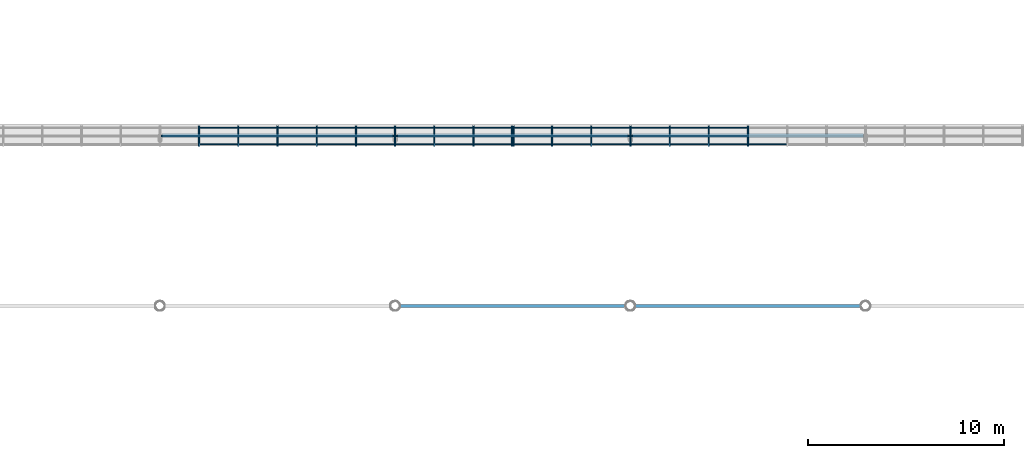
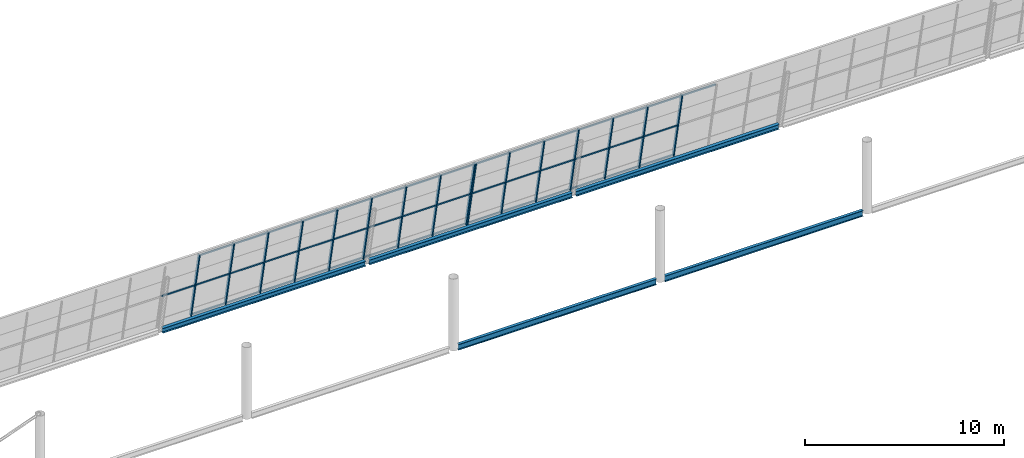
# One storey, part 13 of 50: 60 members, 5 beams, 2 elements without a shape of their own.
"""IFC4 building model written with IfcOpenShell, lengths in metres."""

from ifc_helpers import new_model, si_unit, direction, frame, origin, origin_2d, place, context, subcontext, project, spatial, rectangle, i_section, extrude, material, layer, layer_set, material_profile, profile_set, type_object, element, aggregate, save


model = new_model("IFC4")

# Units and contexts
model_context = context("Model", 3, precision=1e-05, world=origin(), true_north=direction((0.0, 1.0)))
body_context = subcontext(model_context, "Body", "Model", "MODEL_VIEW")
ifc_project = project(units=[si_unit("LENGTHUNIT", "METRE"), si_unit("AREAUNIT", "SQUARE_METRE"), si_unit("VOLUMEUNIT", "CUBIC_METRE"), si_unit("PLANEANGLEUNIT", "RADIAN"), si_unit("MASSUNIT", "GRAM", prefix="KILO")], contexts=[model_context])

# Site, building, storey
site_placement = place(None, origin())
site = spatial("IfcSite", under=ifc_project, at=site_placement, CompositionType="ELEMENT")
building_placement = place(site_placement, origin())
building = spatial("IfcBuilding", under=site, at=building_placement, Name="Windward Yard Aquatics Centre", CompositionType="ELEMENT")
storey_placement = place(building_placement, frame((0.0, 0.0, 18.199951171875)))
storey = spatial("IfcBuildingStorey", under=building, at=storey_placement, Name="L04", CompositionType="ELEMENT", Elevation=18.199951171875)

# Curtain wall, members
ifc_material_1 = material(Name="Glass and aluminium curtain wall", Category="aluminium")
ifc_layer = layer(ifc_material_1, 0.179931640625)
ifc_layer_set = layer_set([ifc_layer], Name="H curtain wall tier 2 double glazed 6+16+6")
curtain_wall_type = type_object("IfcCurtainWallType", Name="H curtain wall tier 2 double glazed 6+16+6", PredefinedType="NOTDEFINED", material=ifc_layer_set)
curtain_wall_1_placement = place(storey_placement, origin())
curtain_wall_1 = element("IfcCurtainWall", 1, at=curtain_wall_1_placement, inside=storey, type_object=curtain_wall_type, Name="Tier 2 glazing N L04", PredefinedType="NOTDEFINED")
ifc_material_2 = material(Name="Aluminium 6063-T6 anodised", Category="aluminium")
ifc_material_profile_1 = material_profile(ifc_material_2, rectangle(XDim=0.06494140625, YDim=0.179931640625, at=origin_2d()), Name="H CW mullion 65x180")
ifc_profile_set_1 = profile_set([ifc_material_profile_1], Name="Aluminium 6063-T6 anodised")
member_type_1 = type_object("IfcMemberType", Name="H CW mullion 65x180", PredefinedType="MULLION", material=ifc_profile_set_1)
member_1_placement = place(storey_placement, frame((85.9970703125, 89.494873046875, 0.0), z_axis=(0.0, -0.199376314935, 0.979922999548), x_axis=(1.0, 0.0, 0.0)))
member_1 = element("IfcMember", 2, at=member_1_placement, type_object=member_type_1, Name="G2NA mullion 12", PredefinedType="MULLION", context=body_context, shape_type="SweptSolid", body=[
    extrude(rectangle(XDim=0.06494140625, YDim=0.179931640625, at=origin_2d()), origin(), (0.0, 0.0, 1.0), 4.31884765625),
])
member_2_placement = place(storey_placement, frame((87.996826171875, 89.494873046875, 0.0), z_axis=(0.0, -0.199376314935, 0.979922999548), x_axis=(1.0, 0.0, 0.0)))
member_2 = element("IfcMember", 3, at=member_2_placement, type_object=member_type_1, Name="G2NA mullion 13", PredefinedType="MULLION", context=body_context, shape_type="SweptSolid", body=[
    extrude(rectangle(XDim=0.06494140625, YDim=0.179931640625, at=origin_2d()), origin(), (0.0, 0.0, 1.0), 4.31884765625),
])
member_3_placement = place(storey_placement, frame((89.99658203125, 89.494873046875, 0.0), z_axis=(0.0, -0.199376314935, 0.979922999548), x_axis=(1.0, 0.0, 0.0)))
member_3 = element("IfcMember", 4, at=member_3_placement, type_object=member_type_1, Name="G2NA mullion 14", PredefinedType="MULLION", context=body_context, shape_type="SweptSolid", body=[
    extrude(rectangle(XDim=0.06494140625, YDim=0.179931640625, at=origin_2d()), origin(), (0.0, 0.0, 1.0), 4.31884765625),
])
member_4_placement = place(storey_placement, frame((91.996337890625, 89.494873046875, 0.0), z_axis=(0.0, -0.199376314935, 0.979922999548), x_axis=(1.0, 0.0, 0.0)))
member_4 = element("IfcMember", 5, at=member_4_placement, type_object=member_type_1, Name="G2NA mullion 15", PredefinedType="MULLION", context=body_context, shape_type="SweptSolid", body=[
    extrude(rectangle(XDim=0.06494140625, YDim=0.179931640625, at=origin_2d()), origin(), (0.0, 0.0, 1.0), 4.31884765625),
])
member_5_placement = place(storey_placement, frame((93.99609375, 89.494873046875, 0.0), z_axis=(0.0, -0.199376314935, 0.979922999548), x_axis=(1.0, 0.0, 0.0)))
member_5 = element("IfcMember", 6, at=member_5_placement, type_object=member_type_1, Name="G2NA mullion 16", PredefinedType="MULLION", context=body_context, shape_type="SweptSolid", body=[
    extrude(rectangle(XDim=0.06494140625, YDim=0.179931640625, at=origin_2d()), origin(), (0.0, 0.0, 1.0), 4.31884765625),
])
member_6_placement = place(storey_placement, frame((95.995849609375, 89.494873046875, 0.0), z_axis=(0.0, -0.199376314935, 0.979922999548), x_axis=(1.0, 0.0, 0.0)))
member_6 = element("IfcMember", 7, at=member_6_placement, type_object=member_type_1, Name="G2NA mullion 17", PredefinedType="MULLION", context=body_context, shape_type="SweptSolid", body=[
    extrude(rectangle(XDim=0.06494140625, YDim=0.179931640625, at=origin_2d()), origin(), (0.0, 0.0, 1.0), 4.31884765625),
])
member_7_placement = place(storey_placement, frame((97.99560546875, 89.494873046875, 0.0), z_axis=(0.0, -0.199376314935, 0.979922999548), x_axis=(1.0, 0.0, 0.0)))
member_7 = element("IfcMember", 8, at=member_7_placement, type_object=member_type_1, Name="G2NA mullion 18", PredefinedType="MULLION", context=body_context, shape_type="SweptSolid", body=[
    extrude(rectangle(XDim=0.06494140625, YDim=0.179931640625, at=origin_2d()), origin(), (0.0, 0.0, 1.0), 4.31884765625),
])
member_8_placement = place(storey_placement, frame((99.995361328125, 89.494873046875, 0.0), z_axis=(0.0, -0.199376314935, 0.979922999548), x_axis=(1.0, 0.0, 0.0)))
member_8 = element("IfcMember", 9, at=member_8_placement, type_object=member_type_1, Name="G2NA mullion 19", PredefinedType="MULLION", context=body_context, shape_type="SweptSolid", body=[
    extrude(rectangle(XDim=0.06494140625, YDim=0.179931640625, at=origin_2d()), origin(), (0.0, 0.0, 1.0), 4.31884765625),
])
member_9_placement = place(storey_placement, frame((101.96240234375, 89.494873046875, 0.0), z_axis=(0.0, -0.199376314935, 0.979922999548), x_axis=(1.0, 0.0, 0.0)))
member_9 = element("IfcMember", 10, at=member_9_placement, type_object=member_type_1, Name="G2NA mullion 20", PredefinedType="MULLION", context=body_context, shape_type="SweptSolid", body=[
    extrude(rectangle(XDim=0.06494140625, YDim=0.179931640625, at=origin_2d()), origin(), (0.0, 0.0, 1.0), 4.31884765625),
])

curtain_wall_2_placement = place(storey_placement, origin())
curtain_wall_2 = element("IfcCurtainWall", 11, at=curtain_wall_2_placement, inside=storey, type_object=curtain_wall_type, Name="Tier 2 glazing N L04", PredefinedType="NOTDEFINED")
member_10_placement = place(storey_placement, frame((102.03759765625, 89.494873046875, 0.0), z_axis=(0.0, -0.199376314935, 0.979922999548), x_axis=(1.0, 0.0, 0.0)))
member_10 = element("IfcMember", 12, at=member_10_placement, type_object=member_type_1, Name="G2NB mullion 1", PredefinedType="MULLION", context=body_context, shape_type="SweptSolid", body=[
    extrude(rectangle(XDim=0.06494140625, YDim=0.179931640625, at=origin_2d()), origin(), (0.0, 0.0, 1.0), 4.31884765625),
])
member_11_placement = place(storey_placement, frame((104.004638671875, 89.494873046875, 0.0), z_axis=(0.0, -0.199376314935, 0.979922999548), x_axis=(1.0, 0.0, 0.0)))
member_11 = element("IfcMember", 13, at=member_11_placement, type_object=member_type_1, Name="G2NB mullion 2", PredefinedType="MULLION", context=body_context, shape_type="SweptSolid", body=[
    extrude(rectangle(XDim=0.06494140625, YDim=0.179931640625, at=origin_2d()), origin(), (0.0, 0.0, 1.0), 4.31884765625),
])
member_12_placement = place(storey_placement, frame((106.00439453125, 89.494873046875, 0.0), z_axis=(0.0, -0.199376314935, 0.979922999548), x_axis=(1.0, 0.0, 0.0)))
member_12 = element("IfcMember", 14, at=member_12_placement, type_object=member_type_1, Name="G2NB mullion 3", PredefinedType="MULLION", context=body_context, shape_type="SweptSolid", body=[
    extrude(rectangle(XDim=0.06494140625, YDim=0.179931640625, at=origin_2d()), origin(), (0.0, 0.0, 1.0), 4.31884765625),
])
member_13_placement = place(storey_placement, frame((108.004150390625, 89.494873046875, 0.0), z_axis=(0.0, -0.199376314935, 0.979922999548), x_axis=(1.0, 0.0, 0.0)))
member_13 = element("IfcMember", 15, at=member_13_placement, type_object=member_type_1, Name="G2NB mullion 4", PredefinedType="MULLION", context=body_context, shape_type="SweptSolid", body=[
    extrude(rectangle(XDim=0.06494140625, YDim=0.179931640625, at=origin_2d()), origin(), (0.0, 0.0, 1.0), 4.31884765625),
])
member_14_placement = place(storey_placement, frame((110.00390625, 89.494873046875, 0.0), z_axis=(0.0, -0.199376314935, 0.979922999548), x_axis=(1.0, 0.0, 0.0)))
member_14 = element("IfcMember", 16, at=member_14_placement, type_object=member_type_1, Name="G2NB mullion 5", PredefinedType="MULLION", context=body_context, shape_type="SweptSolid", body=[
    extrude(rectangle(XDim=0.06494140625, YDim=0.179931640625, at=origin_2d()), origin(), (0.0, 0.0, 1.0), 4.31884765625),
])
member_15_placement = place(storey_placement, frame((112.003662109375, 89.494873046875, 0.0), z_axis=(0.0, -0.199376314935, 0.979922999548), x_axis=(1.0, 0.0, 0.0)))
member_15 = element("IfcMember", 17, at=member_15_placement, type_object=member_type_1, Name="G2NB mullion 6", PredefinedType="MULLION", context=body_context, shape_type="SweptSolid", body=[
    extrude(rectangle(XDim=0.06494140625, YDim=0.179931640625, at=origin_2d()), origin(), (0.0, 0.0, 1.0), 4.31884765625),
])
member_16_placement = place(storey_placement, frame((114.00341796875, 89.494873046875, 0.0), z_axis=(0.0, -0.199376314935, 0.979922999548), x_axis=(1.0, 0.0, 0.0)))
member_16 = element("IfcMember", 18, at=member_16_placement, type_object=member_type_1, Name="G2NB mullion 7", PredefinedType="MULLION", context=body_context, shape_type="SweptSolid", body=[
    extrude(rectangle(XDim=0.06494140625, YDim=0.179931640625, at=origin_2d()), origin(), (0.0, 0.0, 1.0), 4.31884765625),
])

# Member
ifc_material_profile_2 = material_profile(ifc_material_2, rectangle(XDim=0.06494140625, YDim=0.10009765625, at=origin_2d()), Name="H CW transom 65x100")
ifc_profile_set_2 = profile_set([ifc_material_profile_2], Name="Aluminium 6063-T6 anodised")
member_type_2 = type_object("IfcMemberType", Name="H CW transom 65x100", PredefinedType="USERDEFINED", material=ifc_profile_set_2)
member_17_placement = place(storey_placement, frame((84.02978515625, 89.0625, 2.125), z_axis=(1.0, 0.0, 0.0), x_axis=(0.0, 0.9799247046, 0.19936793452)))
member_17 = element("IfcMember", 19, at=member_17_placement, type_object=member_type_2, Name="G2NA transom 11.2", ObjectType="TRANSOM", PredefinedType="USERDEFINED", context=body_context, shape_type="SweptSolid", body=[
    extrude(rectangle(XDim=0.06494140625, YDim=0.10009765625, at=origin_2d()), origin(), (0.0, 0.0, 1.0), 1.934814453125),
])

member_18_placement = place(storey_placement, frame((86.029541015625, 89.48486328125, 0.049072265625), z_axis=(1.0, 0.0, 0.0), x_axis=(0.0, 0.9799247046, 0.19936793452)))
member_18 = element("IfcMember", 20, at=member_18_placement, type_object=member_type_2, Name="G2NA transom 12.1", ObjectType="TRANSOM", PredefinedType="USERDEFINED", context=body_context, shape_type="SweptSolid", body=[
    extrude(rectangle(XDim=0.06494140625, YDim=0.10009765625, at=origin_2d()), origin(), (0.0, 0.0, 1.0), 1.934814453125),
])

member_19_placement = place(storey_placement, frame((86.029541015625, 89.0625, 2.125), z_axis=(1.0, 0.0, 0.0), x_axis=(0.0, 0.9799247046, 0.19936793452)))
member_19 = element("IfcMember", 21, at=member_19_placement, type_object=member_type_2, Name="G2NA transom 12.2", ObjectType="TRANSOM", PredefinedType="USERDEFINED", context=body_context, shape_type="SweptSolid", body=[
    extrude(rectangle(XDim=0.06494140625, YDim=0.10009765625, at=origin_2d()), origin(), (0.0, 0.0, 1.0), 1.934814453125),
])

member_20_placement = place(storey_placement, frame((86.029541015625, 88.641357421875, 4.194580078125), z_axis=(1.0, 0.0, 0.0), x_axis=(0.0, 0.9799247046, 0.19936793452)))
member_20 = element("IfcMember", 22, at=member_20_placement, type_object=member_type_2, Name="G2NA transom 12.3", ObjectType="TRANSOM", PredefinedType="USERDEFINED", context=body_context, shape_type="SweptSolid", body=[
    extrude(rectangle(XDim=0.06494140625, YDim=0.10009765625, at=origin_2d()), origin(), (0.0, 0.0, 1.0), 1.934814453125),
])

member_21_placement = place(storey_placement, frame((88.029296875, 89.48486328125, 0.049072265625), z_axis=(1.0, 0.0, 0.0), x_axis=(0.0, 0.9799247046, 0.19936793452)))
member_21 = element("IfcMember", 23, at=member_21_placement, type_object=member_type_2, Name="G2NA transom 13.1", ObjectType="TRANSOM", PredefinedType="USERDEFINED", context=body_context, shape_type="SweptSolid", body=[
    extrude(rectangle(XDim=0.06494140625, YDim=0.10009765625, at=origin_2d()), origin(), (0.0, 0.0, 1.0), 1.934814453125),
])

member_22_placement = place(storey_placement, frame((88.029296875, 89.0625, 2.125), z_axis=(1.0, 0.0, 0.0), x_axis=(0.0, 0.9799247046, 0.19936793452)))
member_22 = element("IfcMember", 24, at=member_22_placement, type_object=member_type_2, Name="G2NA transom 13.2", ObjectType="TRANSOM", PredefinedType="USERDEFINED", context=body_context, shape_type="SweptSolid", body=[
    extrude(rectangle(XDim=0.06494140625, YDim=0.10009765625, at=origin_2d()), origin(), (0.0, 0.0, 1.0), 1.934814453125),
])

member_23_placement = place(storey_placement, frame((88.029296875, 88.641357421875, 4.194580078125), z_axis=(1.0, 0.0, 0.0), x_axis=(0.0, 0.9799247046, 0.19936793452)))
member_23 = element("IfcMember", 25, at=member_23_placement, type_object=member_type_2, Name="G2NA transom 13.3", ObjectType="TRANSOM", PredefinedType="USERDEFINED", context=body_context, shape_type="SweptSolid", body=[
    extrude(rectangle(XDim=0.06494140625, YDim=0.10009765625, at=origin_2d()), origin(), (0.0, 0.0, 1.0), 1.934814453125),
])

member_24_placement = place(storey_placement, frame((90.029052734375, 89.48486328125, 0.049072265625), z_axis=(1.0, 0.0, 0.0), x_axis=(0.0, 0.9799247046, 0.19936793452)))
member_24 = element("IfcMember", 26, at=member_24_placement, type_object=member_type_2, Name="G2NA transom 14.1", ObjectType="TRANSOM", PredefinedType="USERDEFINED", context=body_context, shape_type="SweptSolid", body=[
    extrude(rectangle(XDim=0.06494140625, YDim=0.10009765625, at=origin_2d()), origin(), (0.0, 0.0, 1.0), 1.934814453125),
])

member_25_placement = place(storey_placement, frame((90.029052734375, 89.0625, 2.125), z_axis=(1.0, 0.0, 0.0), x_axis=(0.0, 0.9799247046, 0.19936793452)))
member_25 = element("IfcMember", 27, at=member_25_placement, type_object=member_type_2, Name="G2NA transom 14.2", ObjectType="TRANSOM", PredefinedType="USERDEFINED", context=body_context, shape_type="SweptSolid", body=[
    extrude(rectangle(XDim=0.06494140625, YDim=0.10009765625, at=origin_2d()), origin(), (0.0, 0.0, 1.0), 1.934814453125),
])

member_26_placement = place(storey_placement, frame((90.029052734375, 88.641357421875, 4.194580078125), z_axis=(1.0, 0.0, 0.0), x_axis=(0.0, 0.9799247046, 0.19936793452)))
member_26 = element("IfcMember", 28, at=member_26_placement, type_object=member_type_2, Name="G2NA transom 14.3", ObjectType="TRANSOM", PredefinedType="USERDEFINED", context=body_context, shape_type="SweptSolid", body=[
    extrude(rectangle(XDim=0.06494140625, YDim=0.10009765625, at=origin_2d()), origin(), (0.0, 0.0, 1.0), 1.934814453125),
])

member_27_placement = place(storey_placement, frame((92.02880859375, 89.48486328125, 0.049072265625), z_axis=(1.0, 0.0, 0.0), x_axis=(0.0, 0.9799247046, 0.19936793452)))
member_27 = element("IfcMember", 29, at=member_27_placement, type_object=member_type_2, Name="G2NA transom 15.1", ObjectType="TRANSOM", PredefinedType="USERDEFINED", context=body_context, shape_type="SweptSolid", body=[
    extrude(rectangle(XDim=0.06494140625, YDim=0.10009765625, at=origin_2d()), origin(), (0.0, 0.0, 1.0), 1.934814453125),
])

member_28_placement = place(storey_placement, frame((92.02880859375, 89.0625, 2.125), z_axis=(1.0, 0.0, 0.0), x_axis=(0.0, 0.9799247046, 0.19936793452)))
member_28 = element("IfcMember", 30, at=member_28_placement, type_object=member_type_2, Name="G2NA transom 15.2", ObjectType="TRANSOM", PredefinedType="USERDEFINED", context=body_context, shape_type="SweptSolid", body=[
    extrude(rectangle(XDim=0.06494140625, YDim=0.10009765625, at=origin_2d()), origin(), (0.0, 0.0, 1.0), 1.934814453125),
])

member_29_placement = place(storey_placement, frame((92.02880859375, 88.641357421875, 4.194580078125), z_axis=(1.0, 0.0, 0.0), x_axis=(0.0, 0.9799247046, 0.19936793452)))
member_29 = element("IfcMember", 31, at=member_29_placement, type_object=member_type_2, Name="G2NA transom 15.3", ObjectType="TRANSOM", PredefinedType="USERDEFINED", context=body_context, shape_type="SweptSolid", body=[
    extrude(rectangle(XDim=0.06494140625, YDim=0.10009765625, at=origin_2d()), origin(), (0.0, 0.0, 1.0), 1.934814453125),
])

member_30_placement = place(storey_placement, frame((94.028564453125, 89.48486328125, 0.049072265625), z_axis=(1.0, 0.0, 0.0), x_axis=(0.0, 0.9799247046, 0.19936793452)))
member_30 = element("IfcMember", 32, at=member_30_placement, type_object=member_type_2, Name="G2NA transom 16.1", ObjectType="TRANSOM", PredefinedType="USERDEFINED", context=body_context, shape_type="SweptSolid", body=[
    extrude(rectangle(XDim=0.06494140625, YDim=0.10009765625, at=origin_2d()), origin(), (0.0, 0.0, 1.0), 1.934814453125),
])

member_31_placement = place(storey_placement, frame((94.028564453125, 89.0625, 2.125), z_axis=(1.0, 0.0, 0.0), x_axis=(0.0, 0.9799247046, 0.19936793452)))
member_31 = element("IfcMember", 33, at=member_31_placement, type_object=member_type_2, Name="G2NA transom 16.2", ObjectType="TRANSOM", PredefinedType="USERDEFINED", context=body_context, shape_type="SweptSolid", body=[
    extrude(rectangle(XDim=0.06494140625, YDim=0.10009765625, at=origin_2d()), origin(), (0.0, 0.0, 1.0), 1.934814453125),
])

member_32_placement = place(storey_placement, frame((94.028564453125, 88.641357421875, 4.194580078125), z_axis=(1.0, 0.0, 0.0), x_axis=(0.0, 0.9799247046, 0.19936793452)))
member_32 = element("IfcMember", 34, at=member_32_placement, type_object=member_type_2, Name="G2NA transom 16.3", ObjectType="TRANSOM", PredefinedType="USERDEFINED", context=body_context, shape_type="SweptSolid", body=[
    extrude(rectangle(XDim=0.06494140625, YDim=0.10009765625, at=origin_2d()), origin(), (0.0, 0.0, 1.0), 1.934814453125),
])

member_33_placement = place(storey_placement, frame((96.0283203125, 89.48486328125, 0.049072265625), z_axis=(1.0, 0.0, 0.0), x_axis=(0.0, 0.9799247046, 0.19936793452)))
member_33 = element("IfcMember", 35, at=member_33_placement, type_object=member_type_2, Name="G2NA transom 17.1", ObjectType="TRANSOM", PredefinedType="USERDEFINED", context=body_context, shape_type="SweptSolid", body=[
    extrude(rectangle(XDim=0.06494140625, YDim=0.10009765625, at=origin_2d()), origin(), (0.0, 0.0, 1.0), 1.934814453125),
])

member_34_placement = place(storey_placement, frame((96.0283203125, 89.0625, 2.125), z_axis=(1.0, 0.0, 0.0), x_axis=(0.0, 0.9799247046, 0.19936793452)))
member_34 = element("IfcMember", 36, at=member_34_placement, type_object=member_type_2, Name="G2NA transom 17.2", ObjectType="TRANSOM", PredefinedType="USERDEFINED", context=body_context, shape_type="SweptSolid", body=[
    extrude(rectangle(XDim=0.06494140625, YDim=0.10009765625, at=origin_2d()), origin(), (0.0, 0.0, 1.0), 1.934814453125),
])

member_35_placement = place(storey_placement, frame((96.0283203125, 88.641357421875, 4.194580078125), z_axis=(1.0, 0.0, 0.0), x_axis=(0.0, 0.9799247046, 0.19936793452)))
member_35 = element("IfcMember", 37, at=member_35_placement, type_object=member_type_2, Name="G2NA transom 17.3", ObjectType="TRANSOM", PredefinedType="USERDEFINED", context=body_context, shape_type="SweptSolid", body=[
    extrude(rectangle(XDim=0.06494140625, YDim=0.10009765625, at=origin_2d()), origin(), (0.0, 0.0, 1.0), 1.934814453125),
])

member_36_placement = place(storey_placement, frame((98.028076171875, 89.48486328125, 0.049072265625), z_axis=(1.0, 0.0, 0.0), x_axis=(0.0, 0.9799247046, 0.19936793452)))
member_36 = element("IfcMember", 38, at=member_36_placement, type_object=member_type_2, Name="G2NA transom 18.1", ObjectType="TRANSOM", PredefinedType="USERDEFINED", context=body_context, shape_type="SweptSolid", body=[
    extrude(rectangle(XDim=0.06494140625, YDim=0.10009765625, at=origin_2d()), origin(), (0.0, 0.0, 1.0), 1.9345703125),
])

member_37_placement = place(storey_placement, frame((98.028076171875, 89.0625, 2.125), z_axis=(1.0, 0.0, 0.0), x_axis=(0.0, 0.9799247046, 0.19936793452)))
member_37 = element("IfcMember", 39, at=member_37_placement, type_object=member_type_2, Name="G2NA transom 18.2", ObjectType="TRANSOM", PredefinedType="USERDEFINED", context=body_context, shape_type="SweptSolid", body=[
    extrude(rectangle(XDim=0.06494140625, YDim=0.10009765625, at=origin_2d()), origin(), (0.0, 0.0, 1.0), 1.9345703125),
])

member_38_placement = place(storey_placement, frame((98.028076171875, 88.641357421875, 4.194580078125), z_axis=(1.0, 0.0, 0.0), x_axis=(0.0, 0.9799247046, 0.19936793452)))
member_38 = element("IfcMember", 40, at=member_38_placement, type_object=member_type_2, Name="G2NA transom 18.3", ObjectType="TRANSOM", PredefinedType="USERDEFINED", context=body_context, shape_type="SweptSolid", body=[
    extrude(rectangle(XDim=0.06494140625, YDim=0.10009765625, at=origin_2d()), origin(), (0.0, 0.0, 1.0), 1.9345703125),
])

member_39_placement = place(storey_placement, frame((100.02783203125, 89.48486328125, 0.049072265625), z_axis=(1.0, 0.0, 0.0), x_axis=(0.0, 0.9799247046, 0.19936793452)))
member_39 = element("IfcMember", 41, at=member_39_placement, type_object=member_type_2, Name="G2NA transom 19.1", ObjectType="TRANSOM", PredefinedType="USERDEFINED", context=body_context, shape_type="SweptSolid", body=[
    extrude(rectangle(XDim=0.06494140625, YDim=0.10009765625, at=origin_2d()), origin(), (0.0, 0.0, 1.0), 1.902099609375),
])

member_40_placement = place(storey_placement, frame((100.02783203125, 89.0625, 2.125), z_axis=(1.0, 0.0, 0.0), x_axis=(0.0, 0.9799247046, 0.19936793452)))
member_40 = element("IfcMember", 42, at=member_40_placement, type_object=member_type_2, Name="G2NA transom 19.2", ObjectType="TRANSOM", PredefinedType="USERDEFINED", context=body_context, shape_type="SweptSolid", body=[
    extrude(rectangle(XDim=0.06494140625, YDim=0.10009765625, at=origin_2d()), origin(), (0.0, 0.0, 1.0), 1.902099609375),
])

member_41_placement = place(storey_placement, frame((100.02783203125, 88.641357421875, 4.194580078125), z_axis=(1.0, 0.0, 0.0), x_axis=(0.0, 0.9799247046, 0.19936793452)))
member_41 = element("IfcMember", 43, at=member_41_placement, type_object=member_type_2, Name="G2NA transom 19.3", ObjectType="TRANSOM", PredefinedType="USERDEFINED", context=body_context, shape_type="SweptSolid", body=[
    extrude(rectangle(XDim=0.06494140625, YDim=0.10009765625, at=origin_2d()), origin(), (0.0, 0.0, 1.0), 1.902099609375),
])

aggregate(curtain_wall_1, [member_1, member_2, member_3, member_4, member_5, member_6, member_7, member_8, member_9, member_17, member_18, member_19, member_20, member_21, member_22, member_23, member_24, member_25, member_26, member_27, member_28, member_29, member_30, member_31, member_32, member_33, member_34, member_35, member_36, member_37, member_38, member_39, member_40, member_41])

member_42_placement = place(storey_placement, frame((102.070068359375, 89.48486328125, 0.049072265625), z_axis=(1.0, 0.0, 0.0), x_axis=(0.0, 0.9799247046, 0.19936793452)))
member_42 = element("IfcMember", 44, at=member_42_placement, type_object=member_type_2, Name="G2NB transom 1.1", ObjectType="TRANSOM", PredefinedType="USERDEFINED", context=body_context, shape_type="SweptSolid", body=[
    extrude(rectangle(XDim=0.06494140625, YDim=0.10009765625, at=origin_2d()), origin(), (0.0, 0.0, 1.0), 1.902099609375),
])

member_43_placement = place(storey_placement, frame((102.070068359375, 89.0625, 2.125), z_axis=(1.0, 0.0, 0.0), x_axis=(0.0, 0.9799247046, 0.19936793452)))
member_43 = element("IfcMember", 45, at=member_43_placement, type_object=member_type_2, Name="G2NB transom 1.2", ObjectType="TRANSOM", PredefinedType="USERDEFINED", context=body_context, shape_type="SweptSolid", body=[
    extrude(rectangle(XDim=0.06494140625, YDim=0.10009765625, at=origin_2d()), origin(), (0.0, 0.0, 1.0), 1.902099609375),
])

member_44_placement = place(storey_placement, frame((102.070068359375, 88.641357421875, 4.194580078125), z_axis=(1.0, 0.0, 0.0), x_axis=(0.0, 0.9799247046, 0.19936793452)))
member_44 = element("IfcMember", 46, at=member_44_placement, type_object=member_type_2, Name="G2NB transom 1.3", ObjectType="TRANSOM", PredefinedType="USERDEFINED", context=body_context, shape_type="SweptSolid", body=[
    extrude(rectangle(XDim=0.06494140625, YDim=0.10009765625, at=origin_2d()), origin(), (0.0, 0.0, 1.0), 1.902099609375),
])

member_45_placement = place(storey_placement, frame((104.037353515625, 89.48486328125, 0.049072265625), z_axis=(1.0, 0.0, 0.0), x_axis=(0.0, 0.9799247046, 0.19936793452)))
member_45 = element("IfcMember", 47, at=member_45_placement, type_object=member_type_2, Name="G2NB transom 2.1", ObjectType="TRANSOM", PredefinedType="USERDEFINED", context=body_context, shape_type="SweptSolid", body=[
    extrude(rectangle(XDim=0.06494140625, YDim=0.10009765625, at=origin_2d()), origin(), (0.0, 0.0, 1.0), 1.9345703125),
])

member_46_placement = place(storey_placement, frame((104.037353515625, 89.0625, 2.125), z_axis=(1.0, 0.0, 0.0), x_axis=(0.0, 0.9799247046, 0.19936793452)))
member_46 = element("IfcMember", 48, at=member_46_placement, type_object=member_type_2, Name="G2NB transom 2.2", ObjectType="TRANSOM", PredefinedType="USERDEFINED", context=body_context, shape_type="SweptSolid", body=[
    extrude(rectangle(XDim=0.06494140625, YDim=0.10009765625, at=origin_2d()), origin(), (0.0, 0.0, 1.0), 1.9345703125),
])

member_47_placement = place(storey_placement, frame((104.037353515625, 88.641357421875, 4.194580078125), z_axis=(1.0, 0.0, 0.0), x_axis=(0.0, 0.9799247046, 0.19936793452)))
member_47 = element("IfcMember", 49, at=member_47_placement, type_object=member_type_2, Name="G2NB transom 2.3", ObjectType="TRANSOM", PredefinedType="USERDEFINED", context=body_context, shape_type="SweptSolid", body=[
    extrude(rectangle(XDim=0.06494140625, YDim=0.10009765625, at=origin_2d()), origin(), (0.0, 0.0, 1.0), 1.9345703125),
])

member_48_placement = place(storey_placement, frame((106.036865234375, 89.48486328125, 0.049072265625), z_axis=(1.0, 0.0, 0.0), x_axis=(0.0, 0.9799247046, 0.19936793452)))
member_48 = element("IfcMember", 50, at=member_48_placement, type_object=member_type_2, Name="G2NB transom 3.1", ObjectType="TRANSOM", PredefinedType="USERDEFINED", context=body_context, shape_type="SweptSolid", body=[
    extrude(rectangle(XDim=0.06494140625, YDim=0.10009765625, at=origin_2d()), origin(), (0.0, 0.0, 1.0), 1.934814453125),
])

member_49_placement = place(storey_placement, frame((106.036865234375, 89.0625, 2.125), z_axis=(1.0, 0.0, 0.0), x_axis=(0.0, 0.9799247046, 0.19936793452)))
member_49 = element("IfcMember", 51, at=member_49_placement, type_object=member_type_2, Name="G2NB transom 3.2", ObjectType="TRANSOM", PredefinedType="USERDEFINED", context=body_context, shape_type="SweptSolid", body=[
    extrude(rectangle(XDim=0.06494140625, YDim=0.10009765625, at=origin_2d()), origin(), (0.0, 0.0, 1.0), 1.934814453125),
])

member_50_placement = place(storey_placement, frame((106.036865234375, 88.641357421875, 4.194580078125), z_axis=(1.0, 0.0, 0.0), x_axis=(0.0, 0.9799247046, 0.19936793452)))
member_50 = element("IfcMember", 52, at=member_50_placement, type_object=member_type_2, Name="G2NB transom 3.3", ObjectType="TRANSOM", PredefinedType="USERDEFINED", context=body_context, shape_type="SweptSolid", body=[
    extrude(rectangle(XDim=0.06494140625, YDim=0.10009765625, at=origin_2d()), origin(), (0.0, 0.0, 1.0), 1.934814453125),
])

member_51_placement = place(storey_placement, frame((108.03662109375, 89.48486328125, 0.049072265625), z_axis=(1.0, 0.0, 0.0), x_axis=(0.0, 0.9799247046, 0.19936793452)))
member_51 = element("IfcMember", 53, at=member_51_placement, type_object=member_type_2, Name="G2NB transom 4.1", ObjectType="TRANSOM", PredefinedType="USERDEFINED", context=body_context, shape_type="SweptSolid", body=[
    extrude(rectangle(XDim=0.06494140625, YDim=0.10009765625, at=origin_2d()), origin(), (0.0, 0.0, 1.0), 1.934814453125),
])

member_52_placement = place(storey_placement, frame((108.03662109375, 89.0625, 2.125), z_axis=(1.0, 0.0, 0.0), x_axis=(0.0, 0.9799247046, 0.19936793452)))
member_52 = element("IfcMember", 54, at=member_52_placement, type_object=member_type_2, Name="G2NB transom 4.2", ObjectType="TRANSOM", PredefinedType="USERDEFINED", context=body_context, shape_type="SweptSolid", body=[
    extrude(rectangle(XDim=0.06494140625, YDim=0.10009765625, at=origin_2d()), origin(), (0.0, 0.0, 1.0), 1.934814453125),
])

member_53_placement = place(storey_placement, frame((108.03662109375, 88.641357421875, 4.194580078125), z_axis=(1.0, 0.0, 0.0), x_axis=(0.0, 0.9799247046, 0.19936793452)))
member_53 = element("IfcMember", 55, at=member_53_placement, type_object=member_type_2, Name="G2NB transom 4.3", ObjectType="TRANSOM", PredefinedType="USERDEFINED", context=body_context, shape_type="SweptSolid", body=[
    extrude(rectangle(XDim=0.06494140625, YDim=0.10009765625, at=origin_2d()), origin(), (0.0, 0.0, 1.0), 1.934814453125),
])

member_54_placement = place(storey_placement, frame((110.036376953125, 89.48486328125, 0.049072265625), z_axis=(1.0, 0.0, 0.0), x_axis=(0.0, 0.9799247046, 0.19936793452)))
member_54 = element("IfcMember", 56, at=member_54_placement, type_object=member_type_2, Name="G2NB transom 5.1", ObjectType="TRANSOM", PredefinedType="USERDEFINED", context=body_context, shape_type="SweptSolid", body=[
    extrude(rectangle(XDim=0.06494140625, YDim=0.10009765625, at=origin_2d()), origin(), (0.0, 0.0, 1.0), 1.934814453125),
])

member_55_placement = place(storey_placement, frame((110.036376953125, 89.0625, 2.125), z_axis=(1.0, 0.0, 0.0), x_axis=(0.0, 0.9799247046, 0.19936793452)))
member_55 = element("IfcMember", 57, at=member_55_placement, type_object=member_type_2, Name="G2NB transom 5.2", ObjectType="TRANSOM", PredefinedType="USERDEFINED", context=body_context, shape_type="SweptSolid", body=[
    extrude(rectangle(XDim=0.06494140625, YDim=0.10009765625, at=origin_2d()), origin(), (0.0, 0.0, 1.0), 1.934814453125),
])

member_56_placement = place(storey_placement, frame((110.036376953125, 88.641357421875, 4.194580078125), z_axis=(1.0, 0.0, 0.0), x_axis=(0.0, 0.9799247046, 0.19936793452)))
member_56 = element("IfcMember", 58, at=member_56_placement, type_object=member_type_2, Name="G2NB transom 5.3", ObjectType="TRANSOM", PredefinedType="USERDEFINED", context=body_context, shape_type="SweptSolid", body=[
    extrude(rectangle(XDim=0.06494140625, YDim=0.10009765625, at=origin_2d()), origin(), (0.0, 0.0, 1.0), 1.934814453125),
])

member_57_placement = place(storey_placement, frame((112.0361328125, 89.48486328125, 0.049072265625), z_axis=(1.0, 0.0, 0.0), x_axis=(0.0, 0.9799247046, 0.19936793452)))
member_57 = element("IfcMember", 59, at=member_57_placement, type_object=member_type_2, Name="G2NB transom 6.1", ObjectType="TRANSOM", PredefinedType="USERDEFINED", context=body_context, shape_type="SweptSolid", body=[
    extrude(rectangle(XDim=0.06494140625, YDim=0.10009765625, at=origin_2d()), origin(), (0.0, 0.0, 1.0), 1.934814453125),
])

member_58_placement = place(storey_placement, frame((112.0361328125, 89.0625, 2.125), z_axis=(1.0, 0.0, 0.0), x_axis=(0.0, 0.9799247046, 0.19936793452)))
member_58 = element("IfcMember", 60, at=member_58_placement, type_object=member_type_2, Name="G2NB transom 6.2", ObjectType="TRANSOM", PredefinedType="USERDEFINED", context=body_context, shape_type="SweptSolid", body=[
    extrude(rectangle(XDim=0.06494140625, YDim=0.10009765625, at=origin_2d()), origin(), (0.0, 0.0, 1.0), 1.934814453125),
])

member_59_placement = place(storey_placement, frame((112.0361328125, 88.641357421875, 4.194580078125), z_axis=(1.0, 0.0, 0.0), x_axis=(0.0, 0.9799247046, 0.19936793452)))
member_59 = element("IfcMember", 61, at=member_59_placement, type_object=member_type_2, Name="G2NB transom 6.3", ObjectType="TRANSOM", PredefinedType="USERDEFINED", context=body_context, shape_type="SweptSolid", body=[
    extrude(rectangle(XDim=0.06494140625, YDim=0.10009765625, at=origin_2d()), origin(), (0.0, 0.0, 1.0), 1.934814453125),
])

member_60_placement = place(storey_placement, frame((114.035888671875, 88.641357421875, 4.194580078125), z_axis=(1.0, 0.0, 0.0), x_axis=(0.0, 0.9799247046, 0.19936793452)))
member_60 = element("IfcMember", 62, at=member_60_placement, type_object=member_type_2, Name="G2NB transom 7.3", ObjectType="TRANSOM", PredefinedType="USERDEFINED", context=body_context, shape_type="SweptSolid", body=[
    extrude(rectangle(XDim=0.06494140625, YDim=0.10009765625, at=origin_2d()), origin(), (0.0, 0.0, 1.0), 1.934814453125),
])

aggregate(curtain_wall_2, [member_10, member_11, member_12, member_13, member_14, member_15, member_16, member_42, member_43, member_44, member_45, member_46, member_47, member_48, member_49, member_50, member_51, member_52, member_53, member_54, member_55, member_56, member_57, member_58, member_59, member_60])

# Beams
ifc_material_3 = material(Name="Steel ASTM A992 Gr 50", Category="steel")
ifc_material_profile_3 = material_profile(ifc_material_3, i_section(OverallWidth=0.172119140625, OverallDepth=0.35791015625, WebThickness=0.0078125, FlangeThickness=0.01318359375, at=origin_2d()), Name="W360X57.8")
ifc_profile_set_3 = profile_set([ifc_material_profile_3], Name="Steel ASTM A992 Gr 50")
beam_type_1 = type_object("IfcBeamType", Name="H arch column tie beam W360X57.8", PredefinedType="BEAM", material=ifc_profile_set_3)
for number, where, z_axis, x_axis, name in (
    (63, (96.25390625, 80.39990234375, 0.0), (1.0, 0.0, 0.0), (0.0, 1.0, 0.0), "H.TB.N4.T4"),
    (64, (108.25390625, 80.39990234375, 0.0), (1.0, 0.0, 0.0), (0.0, 1.0, 0.0), "H.TB.N5.T4"),
):
    element("IfcBeam", number, at=place(storey_placement, frame(where, z_axis=z_axis, x_axis=x_axis)), inside=storey, type_object=beam_type_1, Name=name, PredefinedType="BEAM", context=body_context, shape_type="SweptSolid", body=[
        extrude(i_section(OverallWidth=0.172119140625, OverallDepth=0.35791015625, WebThickness=0.0078125, FlangeThickness=0.01318359375, at=origin_2d()), origin(), (0.0, 0.0, 1.0), 11.4921875),
    ])
ifc_material_profile_4 = material_profile(ifc_material_3, i_section(OverallWidth=0.202880859375, OverallDepth=0.302001953125, WebThickness=0.007568359375, FlangeThickness=0.01318359375, at=origin_2d()), Name="W310X60")
ifc_profile_set_4 = profile_set([ifc_material_profile_4], Name="Steel ASTM A992 Gr 50")
beam_type_2 = type_object("IfcBeamType", Name="H tier ring beam W310X60", PredefinedType="BEAM", material=ifc_profile_set_4)
for number, where, z_axis, x_axis, name in (
    (65, (84.109619140625, 89.09521484375, 0.0), (1.0, 0.0, 0.0), (0.0, 1.0, 0.0), "H.RG.N3.2"),
    (66, (96.109619140625, 89.09521484375, 0.0), (1.0, 0.0, 0.0), (0.0, 1.0, 0.0), "H.RG.N4.2"),
    (67, (108.109619140625, 89.09521484375, 0.0), (1.0, 0.0, 0.0), (0.0, 1.0, 0.0), "H.RG.N5.2"),
):
    element("IfcBeam", number, at=place(storey_placement, frame(where, z_axis=z_axis, x_axis=x_axis)), inside=storey, type_object=beam_type_2, Name=name, PredefinedType="BEAM", context=body_context, shape_type="SweptSolid", body=[
        extrude(i_section(OverallWidth=0.202880859375, OverallDepth=0.302001953125, WebThickness=0.007568359375, FlangeThickness=0.01318359375, at=origin_2d()), origin(), (0.0, 0.0, 1.0), 11.78076171875),
    ])

save(model, "model.ifc")
